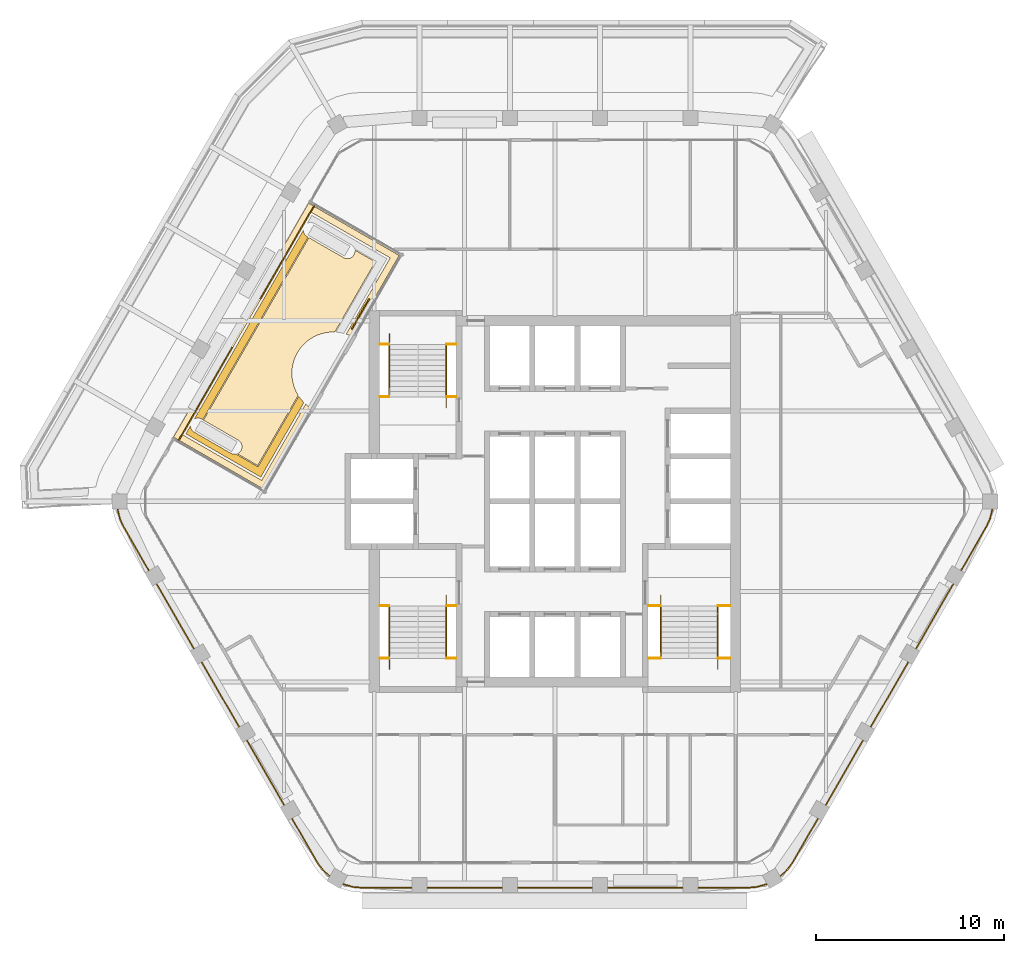
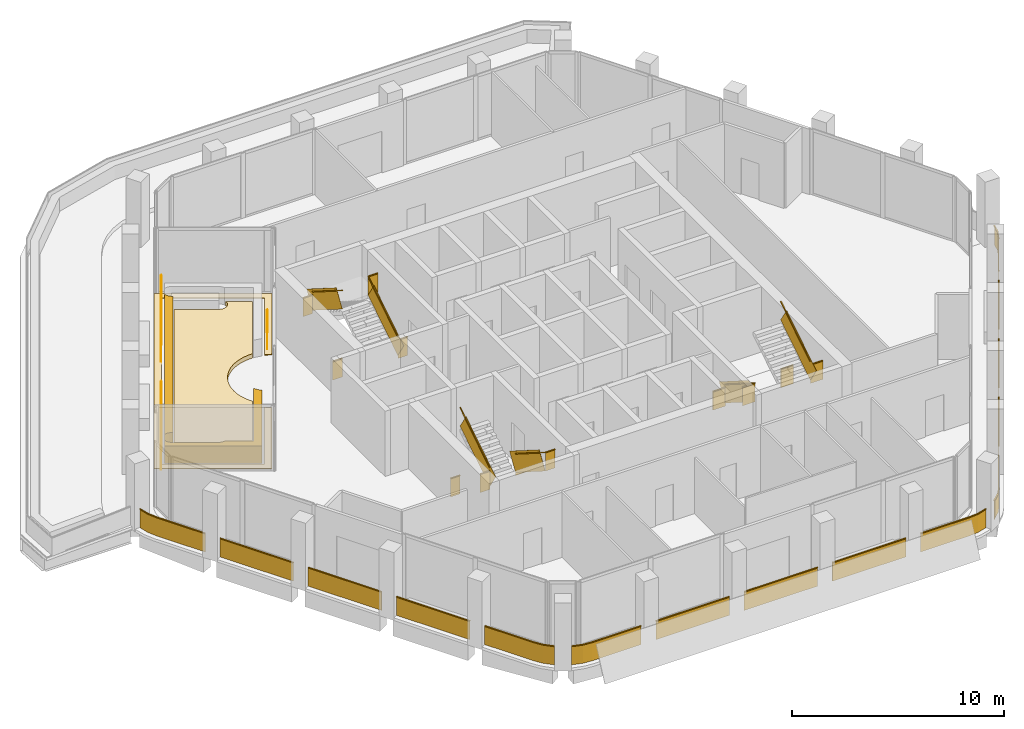
# One storey, part 15 of 16: 11 railings, 4 coverings.
"""IFC4 building model written with IfcOpenShell, lengths in metres."""

from ifc_helpers import new_model, si_unit, direction, frame, frame_2d, origin, origin_2d, place, context, subcontext, project, spatial, polyline, rectangle, outline, extrude, material, layer, layer_set, type_object, element, save


model = new_model("IFC4")

# Units and contexts
model_context = context("Model", 3, precision=1e-05, world=origin(), true_north=direction((0.0, 1.0)))
body_context = subcontext(model_context, "Body", "Model", "MODEL_VIEW")
ifc_project = project(units=[si_unit("LENGTHUNIT", "METRE"), si_unit("AREAUNIT", "SQUARE_METRE"), si_unit("VOLUMEUNIT", "CUBIC_METRE"), si_unit("PLANEANGLEUNIT", "RADIAN"), si_unit("MASSUNIT", "GRAM", prefix="KILO")], contexts=[model_context])

# Site, building, storey
site_placement = place(None, origin())
site = spatial("IfcSite", under=ifc_project, at=site_placement, CompositionType="ELEMENT")
building_placement = place(site_placement, origin())
building = spatial("IfcBuilding", under=site, at=building_placement, Name="Kolab Exchange Tower", CompositionType="ELEMENT")
storey_placement = place(building_placement, frame((0.0, 0.0, 254.0)))
storey = spatial("IfcBuildingStorey", under=building, at=storey_placement, Name="L56", CompositionType="ELEMENT", Elevation=254.0)

# Railings
ifc_material_1 = material(Name="Stainless steel 316", Category="steel")
railing_type_1 = type_object("IfcRailingType", Name="GUARD 1100", PredefinedType="GUARDRAIL", material=ifc_material_1)
railing_1_placement = place(storey_placement, frame((-9.324951171875, 5.550048828125, 0.0)))
element("IfcRailing", 1, at=railing_1_placement, inside=storey, type_object=railing_type_1, Name="Guard ST1", PredefinedType="GUARDRAIL", context=body_context, shape_type="SweptSolid", body=[
    extrude(rectangle(XDim=0.05, YDim=0.05, at=origin_2d()), frame((0.0, 0.0, 1.0751953125), z_axis=(1.0, 0.0, 0.0), x_axis=(0.0, 1.0, 0.0)), (0.0, 0.0, 1.0), 0.52734375),
    extrude(rectangle(XDim=0.012, YDim=1.05009765625, at=frame_2d((0.0, 0.525146484375))), frame((0.0, 0.0, 0.0), z_axis=(1.0, 0.0, 0.0), x_axis=(0.0, 1.0, 0.0)), (0.0, 0.0, 1.0), 0.52734375),
    extrude(rectangle(XDim=0.05, YDim=0.05, at=origin_2d()), frame((3.54736328125, 0.0, 1.0751953125), z_axis=(1.0, 0.0, 0.0), x_axis=(0.0, 1.0, 0.0)), (0.0, 0.0, 1.0), 0.527587890625),
    extrude(rectangle(XDim=0.012, YDim=1.05009765625, at=frame_2d((0.0, 0.525146484375))), frame((3.54736328125, 0.0, 0.0), z_axis=(1.0, 0.0, 0.0), x_axis=(0.0, 1.0, 0.0)), (0.0, 0.0, 1.0), 0.527587890625),
    extrude(rectangle(XDim=0.05, YDim=0.05, at=origin_2d()), frame((0.0, 2.800048828125, 3.025146484375), z_axis=(1.0, 0.0, 0.0), x_axis=(0.0, 1.0, 0.0)), (0.0, 0.0, 1.0), 0.52734375),
    extrude(rectangle(XDim=0.012, YDim=1.05009765625, at=frame_2d((0.0, 0.525146484375))), frame((0.0, 2.800048828125, 1.949951171875), z_axis=(1.0, 0.0, 0.0), x_axis=(0.0, 1.0, 0.0)), (0.0, 0.0, 1.0), 0.52734375),
    extrude(rectangle(XDim=0.05, YDim=0.05, at=origin_2d()), frame((3.54736328125, 2.800048828125, 3.025146484375), z_axis=(1.0, 0.0, 0.0), x_axis=(0.0, 1.0, 0.0)), (0.0, 0.0, 1.0), 0.527587890625),
    extrude(rectangle(XDim=0.012, YDim=1.05009765625, at=frame_2d((0.0, 0.525146484375))), frame((3.54736328125, 2.800048828125, 1.949951171875), z_axis=(1.0, 0.0, 0.0), x_axis=(0.0, 1.0, 0.0)), (0.0, 0.0, 1.0), 0.527587890625),
])
railing_2_placement = place(storey_placement, frame((-5.777587890625, 5.550048828125, 0.17724609375)))
element("IfcRailing", 2, at=railing_2_placement, inside=storey, type_object=railing_type_1, Name="Handrail guard ST1", PredefinedType="GUARDRAIL", context=body_context, shape_type="SweptSolid", body=[
    extrude(rectangle(XDim=0.05, YDim=0.05, at=origin_2d()), frame((0.0, 0.0, 1.0751953125), z_axis=(0.0, 0.844908973607, 0.534910110503), x_axis=(-1.0, 0.0, 0.0)), (0.0, 0.0, 1.0), 3.31396484375),
    extrude(rectangle(XDim=0.012, YDim=1.05009765625, at=frame_2d((0.0, 0.525146484375))), frame((0.0, 0.0, 0.0), z_axis=(0.0, 0.844908973607, 0.534910110503), x_axis=(-1.0, 0.0, 0.0)), (0.0, 0.0, 1.0), 3.31396484375),
    extrude(rectangle(XDim=0.05, YDim=0.05, at=origin_2d()), frame((-3.02001953125, 2.800048828125, 3.025146484375), z_axis=(0.0, -0.844908973607, 0.534910110503), x_axis=(1.0, 0.0, 0.0)), (0.0, 0.0, 1.0), 3.31396484375),
    extrude(rectangle(XDim=0.012, YDim=1.05009765625, at=frame_2d((0.0, 0.525146484375))), frame((-3.02001953125, 2.800048828125, 1.949951171875), z_axis=(0.0, -0.844908973607, 0.534910110503), x_axis=(1.0, 0.0, 0.0)), (0.0, 0.0, 1.0), 3.31396484375),
])
railing_3_placement = place(storey_placement, frame((-9.324951171875, -5.550048828125, 0.0)))
element("IfcRailing", 3, at=railing_3_placement, inside=storey, type_object=railing_type_1, Name="Guard ST3", PredefinedType="GUARDRAIL", context=body_context, shape_type="SweptSolid", body=[
    extrude(rectangle(XDim=0.05, YDim=0.05, at=origin_2d()), frame((0.0, 0.0, 1.0751953125), z_axis=(1.0, 0.0, 0.0), x_axis=(0.0, 1.0, 0.0)), (0.0, 0.0, 1.0), 0.52734375),
    extrude(rectangle(XDim=0.012, YDim=1.05009765625, at=frame_2d((0.0, 0.525146484375))), frame((0.0, 0.0, 0.0), z_axis=(1.0, 0.0, 0.0), x_axis=(0.0, 1.0, 0.0)), (0.0, 0.0, 1.0), 0.52734375),
    extrude(rectangle(XDim=0.05, YDim=0.05, at=origin_2d()), frame((3.54736328125, 0.0, 1.0751953125), z_axis=(1.0, 0.0, 0.0), x_axis=(0.0, 1.0, 0.0)), (0.0, 0.0, 1.0), 0.527587890625),
    extrude(rectangle(XDim=0.012, YDim=1.05009765625, at=frame_2d((0.0, 0.525146484375))), frame((3.54736328125, 0.0, 0.0), z_axis=(1.0, 0.0, 0.0), x_axis=(0.0, 1.0, 0.0)), (0.0, 0.0, 1.0), 0.527587890625),
    extrude(rectangle(XDim=0.05, YDim=0.05, at=origin_2d()), frame((0.0, -2.800048828125, 3.025146484375), z_axis=(1.0, 0.0, 0.0), x_axis=(0.0, 1.0, 0.0)), (0.0, 0.0, 1.0), 0.52734375),
    extrude(rectangle(XDim=0.012, YDim=1.05009765625, at=frame_2d((0.0, 0.525146484375))), frame((0.0, -2.800048828125, 1.949951171875), z_axis=(1.0, 0.0, 0.0), x_axis=(0.0, 1.0, 0.0)), (0.0, 0.0, 1.0), 0.52734375),
    extrude(rectangle(XDim=0.05, YDim=0.05, at=origin_2d()), frame((3.54736328125, -2.800048828125, 3.025146484375), z_axis=(1.0, 0.0, 0.0), x_axis=(0.0, 1.0, 0.0)), (0.0, 0.0, 1.0), 0.527587890625),
    extrude(rectangle(XDim=0.012, YDim=1.05009765625, at=frame_2d((0.0, 0.525146484375))), frame((3.54736328125, -2.800048828125, 1.949951171875), z_axis=(1.0, 0.0, 0.0), x_axis=(0.0, 1.0, 0.0)), (0.0, 0.0, 1.0), 0.527587890625),
])
railing_4_placement = place(storey_placement, frame((-5.777587890625, -5.550048828125, 0.17724609375)))
element("IfcRailing", 4, at=railing_4_placement, inside=storey, type_object=railing_type_1, Name="Handrail guard ST3", PredefinedType="GUARDRAIL", context=body_context, shape_type="SweptSolid", body=[
    extrude(rectangle(XDim=0.05, YDim=0.05, at=origin_2d()), frame((0.0, 0.0, 1.0751953125), z_axis=(0.0, -0.844908973607, 0.534910110503), x_axis=(1.0, 0.0, 0.0)), (0.0, 0.0, 1.0), 3.31396484375),
    extrude(rectangle(XDim=0.012, YDim=1.05009765625, at=frame_2d((0.0, 0.525146484375))), frame((0.0, 0.0, 0.0), z_axis=(0.0, -0.844908973607, 0.534910110503), x_axis=(1.0, 0.0, 0.0)), (0.0, 0.0, 1.0), 3.31396484375),
    extrude(rectangle(XDim=0.05, YDim=0.05, at=origin_2d()), frame((-3.02001953125, -2.800048828125, 3.025146484375), z_axis=(0.0, 0.844908973607, 0.534910110503), x_axis=(-1.0, 0.0, 0.0)), (0.0, 0.0, 1.0), 3.31396484375),
    extrude(rectangle(XDim=0.012, YDim=1.05009765625, at=frame_2d((0.0, 0.525146484375))), frame((-3.02001953125, -2.800048828125, 1.949951171875), z_axis=(0.0, 0.844908973607, 0.534910110503), x_axis=(-1.0, 0.0, 0.0)), (0.0, 0.0, 1.0), 3.31396484375),
])
railing_5_placement = place(storey_placement, frame((4.949951171875, -5.550048828125, 0.0)))
element("IfcRailing", 5, at=railing_5_placement, inside=storey, type_object=railing_type_1, Name="Guard ST2", PredefinedType="GUARDRAIL", context=body_context, shape_type="SweptSolid", body=[
    extrude(rectangle(XDim=0.05, YDim=0.05, at=origin_2d()), frame((0.0, 0.0, 1.0751953125), z_axis=(1.0, 0.0, 0.0), x_axis=(0.0, 1.0, 0.0)), (0.0, 0.0, 1.0), 0.677490234375),
    extrude(rectangle(XDim=0.012, YDim=1.05009765625, at=frame_2d((0.0, 0.525146484375))), frame((0.0, 0.0, 0.0), z_axis=(1.0, 0.0, 0.0), x_axis=(0.0, 1.0, 0.0)), (0.0, 0.0, 1.0), 0.677490234375),
    extrude(rectangle(XDim=0.05, YDim=0.05, at=origin_2d()), frame((3.697509765625, 0.0, 1.0751953125), z_axis=(1.0, 0.0, 0.0), x_axis=(0.0, 1.0, 0.0)), (0.0, 0.0, 1.0), 0.677490234375),
    extrude(rectangle(XDim=0.012, YDim=1.05009765625, at=frame_2d((0.0, 0.525146484375))), frame((3.697509765625, 0.0, 0.0), z_axis=(1.0, 0.0, 0.0), x_axis=(0.0, 1.0, 0.0)), (0.0, 0.0, 1.0), 0.677490234375),
    extrude(rectangle(XDim=0.05, YDim=0.05, at=origin_2d()), frame((0.0, -2.800048828125, 3.025146484375), z_axis=(1.0, 0.0, 0.0), x_axis=(0.0, 1.0, 0.0)), (0.0, 0.0, 1.0), 0.677490234375),
    extrude(rectangle(XDim=0.012, YDim=1.05009765625, at=frame_2d((0.0, 0.525146484375))), frame((0.0, -2.800048828125, 1.949951171875), z_axis=(1.0, 0.0, 0.0), x_axis=(0.0, 1.0, 0.0)), (0.0, 0.0, 1.0), 0.677490234375),
    extrude(rectangle(XDim=0.05, YDim=0.05, at=origin_2d()), frame((3.697509765625, -2.800048828125, 3.025146484375), z_axis=(1.0, 0.0, 0.0), x_axis=(0.0, 1.0, 0.0)), (0.0, 0.0, 1.0), 0.677490234375),
    extrude(rectangle(XDim=0.012, YDim=1.05009765625, at=frame_2d((0.0, 0.525146484375))), frame((3.697509765625, -2.800048828125, 1.949951171875), z_axis=(1.0, 0.0, 0.0), x_axis=(0.0, 1.0, 0.0)), (0.0, 0.0, 1.0), 0.677490234375),
])
railing_6_placement = place(storey_placement, frame((5.62744140625, -5.550048828125, 0.17724609375)))
element("IfcRailing", 6, at=railing_6_placement, inside=storey, type_object=railing_type_1, Name="Handrail guard ST2", PredefinedType="GUARDRAIL", context=body_context, shape_type="SweptSolid", body=[
    extrude(rectangle(XDim=0.05, YDim=0.05, at=origin_2d()), frame((0.0, 0.0, 1.0751953125), z_axis=(0.0, -0.844908973607, 0.534910110503), x_axis=(1.0, 0.0, 0.0)), (0.0, 0.0, 1.0), 3.31396484375),
    extrude(rectangle(XDim=0.012, YDim=1.05009765625, at=frame_2d((0.0, 0.525146484375))), frame((0.0, 0.0, 0.0), z_axis=(0.0, -0.844908973607, 0.534910110503), x_axis=(1.0, 0.0, 0.0)), (0.0, 0.0, 1.0), 3.31396484375),
    extrude(rectangle(XDim=0.05, YDim=0.05, at=origin_2d()), frame((3.02001953125, -2.800048828125, 3.025146484375), z_axis=(0.0, 0.844908973607, 0.534910110503), x_axis=(-1.0, 0.0, 0.0)), (0.0, 0.0, 1.0), 3.31396484375),
    extrude(rectangle(XDim=0.012, YDim=1.05009765625, at=frame_2d((0.0, 0.525146484375))), frame((3.02001953125, -2.800048828125, 1.949951171875), z_axis=(0.0, 0.844908973607, 0.534910110503), x_axis=(-1.0, 0.0, 0.0)), (0.0, 0.0, 1.0), 3.31396484375),
])
ifc_material_2 = material(Name="Steel S235", Category="steel")
railing_type_2 = type_object("IfcRailingType", Name="GUARD 1100 GLASS BALUSTRADE AND STEEL TOP RAIL", PredefinedType="GUARDRAIL", material=ifc_material_2)
railing_7_placement = place(storey_placement, frame((11.970703125, -19.936767578125, 0.0)))
element("IfcRailing", 7, at=railing_7_placement, inside=storey, type_object=railing_type_2, Name="Guard", PredefinedType="GUARDRAIL", context=body_context, shape_type="SweptSolid", body=[
    extrude(rectangle(XDim=0.05, YDim=0.05, at=origin_2d()), frame((0.0, 0.0, 1.0751953125), z_axis=(0.724189990991, 0.689600505327, 0.0), x_axis=(-0.689600505327, 0.724189990991, 0.0)), (0.0, 0.0, 1.0), 0.5576171875),
    extrude(rectangle(XDim=0.012, YDim=1.05009765625, at=frame_2d((0.0, 0.525146484375))), frame((0.0, 0.0, 0.0), z_axis=(0.724189990991, 0.689600505327, 0.0), x_axis=(-0.689600505327, 0.724189990991, 0.0)), (0.0, 0.0, 1.0), 0.5576171875),
    extrude(rectangle(XDim=0.05, YDim=0.05, at=origin_2d()), frame((0.40380859375, 0.384521484375, 1.0751953125), z_axis=(0.573599091554, 0.819136180478, 0.0), x_axis=(-0.819136180478, 0.573599091554, 0.0)), (0.0, 0.0, 1.0), 0.479248046875),
    extrude(rectangle(XDim=0.012, YDim=1.05009765625, at=frame_2d((0.0, 0.525146484375))), frame((0.40380859375, 0.384521484375, 0.0), z_axis=(0.573599091554, 0.819136180478, 0.0), x_axis=(-0.819136180478, 0.573599091554, 0.0)), (0.0, 0.0, 1.0), 0.479248046875),
    extrude(rectangle(XDim=0.05, YDim=0.05, at=origin_2d()), frame((0.6787109375, 0.777099609375, 1.0751953125), z_axis=(0.499997052475, 0.866027105532, 0.0), x_axis=(-0.866027105532, 0.499997052475, 0.0)), (0.0, 0.0, 1.0), 2.66796875),
    extrude(rectangle(XDim=0.012, YDim=1.05009765625, at=frame_2d((0.0, 0.525146484375))), frame((0.6787109375, 0.777099609375, 0.0), z_axis=(0.499997052475, 0.866027105532, 0.0), x_axis=(-0.866027105532, 0.499997052475, 0.0)), (0.0, 0.0, 1.0), 2.66796875),
    extrude(rectangle(XDim=0.05, YDim=0.05, at=origin_2d()), frame((2.412841796875, 3.780517578125, 1.0751953125), z_axis=(0.49999894854, 0.866026010844, 0.0), x_axis=(-0.866026010844, 0.49999894854, 0.0)), (0.0, 0.0, 1.0), 4.0),
    extrude(rectangle(XDim=0.012, YDim=1.05009765625, at=frame_2d((0.0, 0.525146484375))), frame((2.412841796875, 3.780517578125, 0.0), z_axis=(0.49999894854, 0.866026010844, 0.0), x_axis=(-0.866026010844, 0.49999894854, 0.0)), (0.0, 0.0, 1.0), 4.0),
    extrude(rectangle(XDim=0.05, YDim=0.05, at=origin_2d()), frame((4.812744140625, 7.9375, 1.0751953125), z_axis=(0.49999894854, 0.866026010844, 0.0), x_axis=(-0.866026010844, 0.49999894854, 0.0)), (0.0, 0.0, 1.0), 4.0),
    extrude(rectangle(XDim=0.012, YDim=1.05009765625, at=frame_2d((0.0, 0.525146484375))), frame((4.812744140625, 7.9375, 0.0), z_axis=(0.49999894854, 0.866026010844, 0.0), x_axis=(-0.866026010844, 0.49999894854, 0.0)), (0.0, 0.0, 1.0), 4.0),
    extrude(rectangle(XDim=0.05, YDim=0.05, at=origin_2d()), frame((7.212890625, 12.09423828125, 1.0751953125), z_axis=(0.49999894854, 0.866026010844, 0.0), x_axis=(-0.866026010844, 0.49999894854, 0.0)), (0.0, 0.0, 1.0), 4.0),
    extrude(rectangle(XDim=0.012, YDim=1.05009765625, at=frame_2d((0.0, 0.525146484375))), frame((7.212890625, 12.09423828125, 0.0), z_axis=(0.49999894854, 0.866026010844, 0.0), x_axis=(-0.866026010844, 0.49999894854, 0.0)), (0.0, 0.0, 1.0), 4.0),
    extrude(rectangle(XDim=0.05, YDim=0.05, at=origin_2d()), frame((9.61279296875, 16.251220703125, 1.0751953125), z_axis=(0.499997052475, 0.866027105532, 0.0), x_axis=(-0.866027105532, 0.499997052475, 0.0)), (0.0, 0.0, 1.0), 2.66796875),
    extrude(rectangle(XDim=0.012, YDim=1.05009765625, at=frame_2d((0.0, 0.525146484375))), frame((9.61279296875, 16.251220703125, 0.0), z_axis=(0.499997052475, 0.866027105532, 0.0), x_axis=(-0.866027105532, 0.499997052475, 0.0)), (0.0, 0.0, 1.0), 2.66796875),
    extrude(rectangle(XDim=0.05, YDim=0.05, at=origin_2d()), frame((10.94677734375, 18.561767578125, 1.0751953125), z_axis=(0.422801802984, 0.906222177721, 0.0), x_axis=(-0.906222177721, 0.422801802984, 0.0)), (0.0, 0.0, 1.0), 0.479248046875),
    extrude(rectangle(XDim=0.012, YDim=1.05009765625, at=frame_2d((0.0, 0.525146484375))), frame((10.94677734375, 18.561767578125, 0.0), z_axis=(0.422801802984, 0.906222177721, 0.0), x_axis=(-0.906222177721, 0.422801802984, 0.0)), (0.0, 0.0, 1.0), 0.479248046875),
    extrude(rectangle(XDim=0.05, YDim=0.05, at=origin_2d()), frame((11.1494140625, 18.99609375, 1.0751953125), z_axis=(0.234597748196, 0.972092534968, 0.0), x_axis=(-0.972092534968, 0.234597748196, 0.0)), (0.0, 0.0, 1.0), 0.557861328125),
    extrude(rectangle(XDim=0.012, YDim=1.05009765625, at=frame_2d((0.0, 0.525146484375))), frame((11.1494140625, 18.99609375, 0.0), z_axis=(0.234597748196, 0.972092534968, 0.0), x_axis=(-0.972092534968, 0.234597748196, 0.0)), (0.0, 0.0, 1.0), 0.557861328125),
])
railing_8_placement = place(storey_placement, frame((-11.280517578125, -20.335205078125, 0.0)))
element("IfcRailing", 8, at=railing_8_placement, inside=storey, type_object=railing_type_2, Name="Guard", PredefinedType="GUARDRAIL", context=body_context, shape_type="SweptSolid", body=[
    extrude(rectangle(XDim=0.05, YDim=0.05, at=origin_2d()), frame((0.0, 0.0, 1.0751953125), z_axis=(0.959212061764, -0.282687496304, 0.0), x_axis=(0.282687496304, 0.959212061764, 0.0)), (0.0, 0.0, 1.0), 0.557861328125),
    extrude(rectangle(XDim=0.012, YDim=1.05009765625, at=frame_2d((0.0, 0.525146484375))), frame((0.0, 0.0, 0.0), z_axis=(0.959212061764, -0.282687496304, 0.0), x_axis=(0.282687496304, 0.959212061764, 0.0)), (0.0, 0.0, 1.0), 0.557861328125),
    extrude(rectangle(XDim=0.05, YDim=0.05, at=origin_2d()), frame((0.53515625, -0.15771484375, 1.0751953125), z_axis=(0.996196482496, -0.087135344505, 0.0), x_axis=(0.087135344505, 0.996196482496, 0.0)), (0.0, 0.0, 1.0), 0.47900390625),
    extrude(rectangle(XDim=0.012, YDim=1.05009765625, at=frame_2d((0.0, 0.525146484375))), frame((0.53515625, -0.15771484375, 0.0), z_axis=(0.996196482496, -0.087135344505, 0.0), x_axis=(0.087135344505, 0.996196482496, 0.0)), (0.0, 0.0, 1.0), 0.47900390625),
    extrude(rectangle(XDim=0.05, YDim=0.05, at=origin_2d()), frame((1.012451171875, -0.199462890625, 1.0751953125), z_axis=(1.0, 0.0, 0.0), x_axis=(0.0, 1.0, 0.0)), (0.0, 0.0, 1.0), 2.66796875),
    extrude(rectangle(XDim=0.012, YDim=1.05009765625, at=frame_2d((0.0, 0.525146484375))), frame((1.012451171875, -0.199462890625, 0.0), z_axis=(1.0, 0.0, 0.0), x_axis=(0.0, 1.0, 0.0)), (0.0, 0.0, 1.0), 2.66796875),
    extrude(rectangle(XDim=0.05, YDim=0.05, at=origin_2d()), frame((4.48046875, -0.199462890625, 1.0751953125), z_axis=(1.0, 0.0, 0.0), x_axis=(0.0, 1.0, 0.0)), (0.0, 0.0, 1.0), 4.0),
    extrude(rectangle(XDim=0.012, YDim=1.05009765625, at=frame_2d((0.0, 0.525146484375))), frame((4.48046875, -0.199462890625, 0.0), z_axis=(1.0, 0.0, 0.0), x_axis=(0.0, 1.0, 0.0)), (0.0, 0.0, 1.0), 4.0),
    extrude(rectangle(XDim=0.05, YDim=0.05, at=origin_2d()), frame((9.280517578125, -0.199462890625, 1.0751953125), z_axis=(1.0, 0.0, 0.0), x_axis=(0.0, 1.0, 0.0)), (0.0, 0.0, 1.0), 4.0),
    extrude(rectangle(XDim=0.012, YDim=1.05009765625, at=frame_2d((0.0, 0.525146484375))), frame((9.280517578125, -0.199462890625, 0.0), z_axis=(1.0, 0.0, 0.0), x_axis=(0.0, 1.0, 0.0)), (0.0, 0.0, 1.0), 4.0),
    extrude(rectangle(XDim=0.05, YDim=0.05, at=origin_2d()), frame((14.08056640625, -0.199462890625, 1.0751953125), z_axis=(1.0, 0.0, 0.0), x_axis=(0.0, 1.0, 0.0)), (0.0, 0.0, 1.0), 4.0),
    extrude(rectangle(XDim=0.012, YDim=1.05009765625, at=frame_2d((0.0, 0.525146484375))), frame((14.08056640625, -0.199462890625, 0.0), z_axis=(1.0, 0.0, 0.0), x_axis=(0.0, 1.0, 0.0)), (0.0, 0.0, 1.0), 4.0),
    extrude(rectangle(XDim=0.05, YDim=0.05, at=origin_2d()), frame((18.880615234375, -0.199462890625, 1.0751953125), z_axis=(1.0, 0.0, 0.0), x_axis=(0.0, 1.0, 0.0)), (0.0, 0.0, 1.0), 2.66796875),
    extrude(rectangle(XDim=0.012, YDim=1.05009765625, at=frame_2d((0.0, 0.525146484375))), frame((18.880615234375, -0.199462890625, 0.0), z_axis=(1.0, 0.0, 0.0), x_axis=(0.0, 1.0, 0.0)), (0.0, 0.0, 1.0), 2.66796875),
    extrude(rectangle(XDim=0.05, YDim=0.05, at=origin_2d()), frame((21.548583984375, -0.199462890625, 1.0751953125), z_axis=(0.996196482496, 0.087135344505, 0.0), x_axis=(-0.087135344505, 0.996196482496, 0.0)), (0.0, 0.0, 1.0), 0.47900390625),
    extrude(rectangle(XDim=0.012, YDim=1.05009765625, at=frame_2d((0.0, 0.525146484375))), frame((21.548583984375, -0.199462890625, 0.0), z_axis=(0.996196482496, 0.087135344505, 0.0), x_axis=(-0.087135344505, 0.996196482496, 0.0)), (0.0, 0.0, 1.0), 0.47900390625),
    extrude(rectangle(XDim=0.05, YDim=0.05, at=origin_2d()), frame((22.02587890625, -0.15771484375, 1.0751953125), z_axis=(0.959212061764, 0.282687496304, 0.0), x_axis=(-0.282687496304, 0.959212061764, 0.0)), (0.0, 0.0, 1.0), 0.557861328125),
    extrude(rectangle(XDim=0.012, YDim=1.05009765625, at=frame_2d((0.0, 0.525146484375))), frame((22.02587890625, -0.15771484375, 0.0), z_axis=(0.959212061764, 0.282687496304, 0.0), x_axis=(-0.282687496304, 0.959212061764, 0.0)), (0.0, 0.0, 1.0), 0.557861328125),
])
railing_9_placement = place(storey_placement, frame((-23.2509765625, -0.3984375, 0.0)))
element("IfcRailing", 9, at=railing_9_placement, inside=storey, type_object=railing_type_2, Name="Guard", PredefinedType="GUARDRAIL", context=body_context, shape_type="SweptSolid", body=[
    extrude(rectangle(XDim=0.05, YDim=0.05, at=origin_2d()), frame((0.0, 0.0, 1.0751953125), z_axis=(0.234597748196, -0.972092534968, 0.0), x_axis=(0.972092534968, 0.234597748196, 0.0)), (0.0, 0.0, 1.0), 0.557861328125),
    extrude(rectangle(XDim=0.012, YDim=1.05009765625, at=frame_2d((0.0, 0.525146484375))), frame((0.0, 0.0, 0.0), z_axis=(0.234597748196, -0.972092534968, 0.0), x_axis=(0.972092534968, 0.234597748196, 0.0)), (0.0, 0.0, 1.0), 0.557861328125),
    extrude(rectangle(XDim=0.05, YDim=0.05, at=origin_2d()), frame((0.130859375, -0.542236328125, 1.0751953125), z_axis=(0.422801802984, -0.906222177721, 0.0), x_axis=(0.906222177721, 0.422801802984, 0.0)), (0.0, 0.0, 1.0), 0.479248046875),
    extrude(rectangle(XDim=0.012, YDim=1.05009765625, at=frame_2d((0.0, 0.525146484375))), frame((0.130859375, -0.542236328125, 0.0), z_axis=(0.422801802984, -0.906222177721, 0.0), x_axis=(0.906222177721, 0.422801802984, 0.0)), (0.0, 0.0, 1.0), 0.479248046875),
    extrude(rectangle(XDim=0.05, YDim=0.05, at=origin_2d()), frame((0.33349609375, -0.9765625, 1.0751953125), z_axis=(0.499997052475, -0.866027105532, 0.0), x_axis=(0.866027105532, 0.499997052475, 0.0)), (0.0, 0.0, 1.0), 2.66796875),
    extrude(rectangle(XDim=0.012, YDim=1.05009765625, at=frame_2d((0.0, 0.525146484375))), frame((0.33349609375, -0.9765625, 0.0), z_axis=(0.499997052475, -0.866027105532, 0.0), x_axis=(0.866027105532, 0.499997052475, 0.0)), (0.0, 0.0, 1.0), 2.66796875),
    extrude(rectangle(XDim=0.05, YDim=0.05, at=origin_2d()), frame((2.0673828125, -3.97998046875, 1.0751953125), z_axis=(0.49999894854, -0.866026010844, 0.0), x_axis=(0.866026010844, 0.49999894854, 0.0)), (0.0, 0.0, 1.0), 4.0),
    extrude(rectangle(XDim=0.012, YDim=1.05009765625, at=frame_2d((0.0, 0.525146484375))), frame((2.0673828125, -3.97998046875, 0.0), z_axis=(0.49999894854, -0.866026010844, 0.0), x_axis=(0.866026010844, 0.49999894854, 0.0)), (0.0, 0.0, 1.0), 4.0),
    extrude(rectangle(XDim=0.05, YDim=0.05, at=origin_2d()), frame((4.467529296875, -8.13671875, 1.0751953125), z_axis=(0.49999894854, -0.866026010844, 0.0), x_axis=(0.866026010844, 0.49999894854, 0.0)), (0.0, 0.0, 1.0), 4.0),
    extrude(rectangle(XDim=0.012, YDim=1.05009765625, at=frame_2d((0.0, 0.525146484375))), frame((4.467529296875, -8.13671875, 0.0), z_axis=(0.49999894854, -0.866026010844, 0.0), x_axis=(0.866026010844, 0.49999894854, 0.0)), (0.0, 0.0, 1.0), 4.0),
    extrude(rectangle(XDim=0.05, YDim=0.05, at=origin_2d()), frame((6.867431640625, -12.293701171875, 1.0751953125), z_axis=(0.49999894854, -0.866026010844, 0.0), x_axis=(0.866026010844, 0.49999894854, 0.0)), (0.0, 0.0, 1.0), 4.0),
    extrude(rectangle(XDim=0.012, YDim=1.05009765625, at=frame_2d((0.0, 0.525146484375))), frame((6.867431640625, -12.293701171875, 0.0), z_axis=(0.49999894854, -0.866026010844, 0.0), x_axis=(0.866026010844, 0.49999894854, 0.0)), (0.0, 0.0, 1.0), 4.0),
    extrude(rectangle(XDim=0.05, YDim=0.05, at=origin_2d()), frame((9.267578125, -16.45068359375, 1.0751953125), z_axis=(0.499997052475, -0.866027105532, 0.0), x_axis=(0.866027105532, 0.499997052475, 0.0)), (0.0, 0.0, 1.0), 2.66796875),
    extrude(rectangle(XDim=0.012, YDim=1.05009765625, at=frame_2d((0.0, 0.525146484375))), frame((9.267578125, -16.45068359375, 0.0), z_axis=(0.499997052475, -0.866027105532, 0.0), x_axis=(0.866027105532, 0.499997052475, 0.0)), (0.0, 0.0, 1.0), 2.66796875),
    extrude(rectangle(XDim=0.05, YDim=0.05, at=origin_2d()), frame((10.6015625, -18.76123046875, 1.0751953125), z_axis=(0.573599091554, -0.819136180478, 0.0), x_axis=(0.819136180478, 0.573599091554, 0.0)), (0.0, 0.0, 1.0), 0.479248046875),
    extrude(rectangle(XDim=0.012, YDim=1.05009765625, at=frame_2d((0.0, 0.525146484375))), frame((10.6015625, -18.76123046875, 0.0), z_axis=(0.573599091554, -0.819136180478, 0.0), x_axis=(0.819136180478, 0.573599091554, 0.0)), (0.0, 0.0, 1.0), 0.479248046875),
    extrude(rectangle(XDim=0.05, YDim=0.05, at=origin_2d()), frame((10.87646484375, -19.15380859375, 1.0751953125), z_axis=(0.724189990991, -0.689600505327, 0.0), x_axis=(0.689600505327, 0.724189990991, 0.0)), (0.0, 0.0, 1.0), 0.5576171875),
    extrude(rectangle(XDim=0.012, YDim=1.05009765625, at=frame_2d((0.0, 0.525146484375))), frame((10.87646484375, -19.15380859375, 0.0), z_axis=(0.724189990991, -0.689600505327, 0.0), x_axis=(0.689600505327, 0.724189990991, 0.0)), (0.0, 0.0, 1.0), 0.5576171875),
])
railing_10_placement = place(storey_placement, frame((-9.8740234375, 10.766845703125, 0.0)))
element("IfcRailing", 10, at=railing_10_placement, inside=storey, type_object=railing_type_2, Name="Terrace guard", PredefinedType="GUARDRAIL", context=body_context, shape_type="SweptSolid", body=[
    extrude(rectangle(XDim=0.05, YDim=0.05, at=origin_2d()), frame((0.0, 0.0, 1.0751953125), z_axis=(-0.50003817291, -0.866003363523, 0.0), x_axis=(0.866003363523, -0.50003817291, 0.0)), (0.0, 0.0, 1.0), 1.851806640625),
    extrude(rectangle(XDim=0.012, YDim=1.05009765625, at=frame_2d((0.0, 0.525146484375))), frame((0.0, 0.0, 0.0), z_axis=(-0.50003817291, -0.866003363523, 0.0), x_axis=(0.866003363523, -0.50003817291, 0.0)), (0.0, 0.0, 1.0), 1.851806640625),
])
railing_11_placement = place(storey_placement, frame((-20.017822265625, 3.197265625, 0.0)))
element("IfcRailing", 11, at=railing_11_placement, inside=storey, type_object=railing_type_2, Name="Terrace guard", PredefinedType="GUARDRAIL", context=body_context, shape_type="SweptSolid", body=[
    extrude(rectangle(XDim=0.05, YDim=0.05, at=origin_2d()), frame((0.0, 0.0, 1.0751953125), z_axis=(0.499986320039, 0.86603330177, 0.0), x_axis=(-0.86603330177, 0.499986320039, 0.0)), (0.0, 0.0, 1.0), 5.739990234375),
    extrude(rectangle(XDim=0.012, YDim=1.05009765625, at=frame_2d((0.0, 0.525146484375))), frame((0.0, 0.0, 0.0), z_axis=(0.499986320039, 0.86603330177, 0.0), x_axis=(-0.86603330177, 0.499986320039, 0.0)), (0.0, 0.0, 1.0), 5.739990234375),
    extrude(rectangle(XDim=0.05, YDim=0.05, at=origin_2d()), frame((7.239990234375, 12.5400390625, 1.0751953125), z_axis=(-0.500018220049, -0.866014884179, 0.0), x_axis=(0.866014884179, -0.500018220049, 0.0)), (0.0, 0.0, 1.0), 5.739990234375),
    extrude(rectangle(XDim=0.012, YDim=1.05009765625, at=frame_2d((0.0, 0.525146484375))), frame((7.239990234375, 12.5400390625, 0.0), z_axis=(-0.500018220049, -0.866014884179, 0.0), x_axis=(0.866014884179, -0.500018220049, 0.0)), (0.0, 0.0, 1.0), 5.739990234375),
])

# Coverings
ifc_material_3 = material(Name="Planting soil and turf", Category="soil")
ifc_layer_1 = layer(ifc_material_3, 0.25)
ifc_layer_set_1 = layer_set([ifc_layer_1], Name="Planting soil and turf")
covering_type_1 = type_object("IfcCoveringType", Name="PLANTING SOIL AND TURF 250", PredefinedType="USERDEFINED", material=ifc_layer_set_1)
covering_1_placement = place(storey_placement, origin())
element("IfcCovering", 12, at=covering_1_placement, inside=storey, type_object=covering_type_1, Name="Planting soil and turf", ObjectType="PLANTING", PredefinedType="USERDEFINED", context=body_context, shape_type="SweptSolid", body=[
    extrude(outline(polyline([(-16.888427734375, 2.53369140625), (-16.856689453125, 2.54736328125), (-16.822265625, 2.56640625), (-16.7900390625, 2.5888671875), (-16.76025390625, 2.6142578125), (-16.73291015625, 2.642333984375), (-16.70849609375, 2.673095703125), (-16.687255859375, 2.7060546875), (-16.669189453125, 2.740966796875), (-16.65478515625, 2.777587890625), (-16.64404296875, 2.8154296875), (-16.636962890625, 2.85400390625), (-16.6337890625, 2.89306640625), (-16.634521484375, 2.932373046875), (-16.638916015625, 2.97119140625), (-16.647216796875, 3.009765625), (-16.6591796875, 3.047119140625), (-16.6748046875, 3.0830078125), (-16.69384765625, 3.117431640625), (-16.71630859375, 3.149658203125), (-16.74169921875, 3.1796875), (-16.769775390625, 3.206787109375), (-16.800537109375, 3.231201171875), (-16.83349609375, 3.25244140625), (-18.67822265625, 4.317626953125), (-13.078125, 14.01708984375), (-11.233642578125, 12.9521484375), (-11.19873046875, 12.93408203125), (-11.162109375, 12.919677734375), (-11.12451171875, 12.908935546875), (-11.085693359375, 12.90185546875), (-11.046630859375, 12.898681640625), (-11.00732421875, 12.8994140625), (-10.968505859375, 12.90380859375), (-10.93017578125, 12.912109375), (-10.892822265625, 12.924072265625), (-10.856689453125, 12.939697265625), (-10.822265625, 12.958740234375), (-10.7900390625, 12.981201171875), (-10.76025390625, 13.006591796875), (-10.73291015625, 13.03466796875), (-10.70849609375, 13.0654296875), (-10.687255859375, 13.098388671875), (-10.669189453125, 13.13330078125), (-10.65478515625, 13.169921875), (-10.64404296875, 13.20751953125), (-10.636962890625, 13.246337890625), (-10.6337890625, 13.285400390625), (-10.634521484375, 13.32470703125), (-10.638427734375, 13.35888671875), (-9.548828125, 12.72998046875), (-11.703369140625, 8.99853515625), (-11.781982421875, 9.002197265625), (-11.99755859375, 8.99169921875), (-12.211181640625, 8.9599609375), (-12.420654296875, 8.907470703125), (-12.623779296875, 8.8349609375), (-12.819091796875, 8.742431640625), (-13.004150390625, 8.631591796875), (-13.177490234375, 8.5029296875), (-13.337646484375, 8.35791015625), (-13.482666015625, 8.197998046875), (-13.611083984375, 8.024658203125), (-13.72216796875, 7.83935546875), (-13.814453125, 7.644287109375), (-13.88720703125, 7.44091796875), (-13.939697265625, 7.2314453125), (-13.971435546875, 7.017822265625), (-13.98193359375, 6.80224609375), (-13.971435546875, 6.586669921875), (-13.939697265625, 6.373046875), (-13.88720703125, 6.16357421875), (-13.814453125, 5.96044921875), (-13.72216796875, 5.76513671875), (-13.644775390625, 5.635986328125), (-15.798828125, 1.904541015625), (-16.888427734375, 2.53369140625)])), origin(), (0.0, 0.0, 1.0), 0.25),
])
ifc_material_4 = material(Name="Limestone coping", Category="masonry")
ifc_layer_2 = layer(ifc_material_4, 0.050048828125)
ifc_layer_set_2 = layer_set([ifc_layer_2], Name="Limestone coping")
covering_type_2 = type_object("IfcCoveringType", Name="TERRACE EDGE BAND LIMESTONE 50", PredefinedType="CLADDING", material=ifc_layer_set_2)
covering_2_placement = place(storey_placement, origin())
element("IfcCovering", 13, at=covering_2_placement, inside=storey, type_object=covering_type_2, Name="Terrace edge band", PredefinedType="CLADDING", context=body_context, shape_type="SweptSolid", body=[
    extrude(outline(polyline([(-13.09375, 15.850341796875), (-8.278564453125, 13.0703125), (-10.770263671875, 8.754638671875), (-10.93994140625, 8.8349609375), (-11.095947265625, 8.890625), (-8.756591796875, 12.942138671875), (-12.965576171875, 15.372314453125), (-19.795654296875, 3.542236328125), (-15.586669921875, 1.1123046875), (-13.2470703125, 5.16455078125), (-13.177490234375, 5.1015625), (-13.004150390625, 4.97314453125), (-12.966552734375, 4.950439453125), (-15.45849609375, 0.63427734375), (-20.273681640625, 3.414306640625), (-13.09375, 15.850341796875)])), origin(), (0.0, 0.0, 1.0), 0.050048828125),
])
ifc_material_5 = material(Name="Terrace hedge planting", Category="soil")
ifc_layer_3 = layer(ifc_material_5, 1.0)
ifc_layer_set_3 = layer_set([ifc_layer_3], Name="Terrace hedge planting")
covering_type_3 = type_object("IfcCoveringType", Name="TERRACE HEDGE 1000 X 400", PredefinedType="USERDEFINED", material=ifc_layer_set_3)
covering_3_placement = place(storey_placement, origin())
element("IfcCovering", 14, at=covering_3_placement, inside=storey, type_object=covering_type_3, Name="Terrace hedge", ObjectType="PLANTING", PredefinedType="USERDEFINED", context=body_context, shape_type="SweptSolid", body=[
    extrude(outline(polyline([(-13.372802734375, 14.40673828125), (-13.37255859375, 14.392333984375), (-13.3681640625, 14.353271484375), (-13.35986328125, 14.31494140625), (-13.347900390625, 14.277587890625), (-13.332275390625, 14.241455078125), (-13.313232421875, 14.207275390625), (-13.290771484375, 14.175048828125), (-13.265380859375, 14.14501953125), (-13.2373046875, 14.11767578125), (-13.20654296875, 14.09326171875), (-13.173583984375, 14.072021484375), (-13.12158203125, 14.0419921875), (-18.721435546875, 4.342529296875), (-18.7734375, 4.37255859375), (-18.808349609375, 4.390380859375), (-18.844970703125, 4.405029296875), (-18.882568359375, 4.415771484375), (-18.92138671875, 4.4228515625), (-18.96044921875, 4.426025390625), (-18.999755859375, 4.42529296875), (-19.03857421875, 4.4208984375), (-19.0771484375, 4.41259765625), (-19.114501953125, 4.400634765625), (-19.150390625, 4.385009765625), (-19.1630859375, 4.3779296875), (-13.372802734375, 14.40673828125)])), origin(), (0.0, 0.0, 1.0), 1.0),
])
covering_4_placement = place(storey_placement, origin())
element("IfcCovering", 15, at=covering_4_placement, inside=storey, type_object=covering_type_3, Name="Terrace hedge", ObjectType="PLANTING", PredefinedType="USERDEFINED", context=body_context, shape_type="SweptSolid", body=[
    extrude(outline(polyline([(-19.372802734375, 4.014404296875), (-19.37255859375, 4.0), (-19.3681640625, 3.9609375), (-19.35986328125, 3.922607421875), (-19.347900390625, 3.88525390625), (-19.332275390625, 3.84912109375), (-19.313232421875, 3.81494140625), (-19.290771484375, 3.78271484375), (-19.265380859375, 3.752685546875), (-19.2373046875, 3.725341796875), (-19.20654296875, 3.700927734375), (-19.173583984375, 3.6796875), (-17.233642578125, 2.559814453125), (-17.19873046875, 2.541748046875), (-17.162109375, 2.52734375), (-17.12451171875, 2.5166015625), (-17.085693359375, 2.509521484375), (-17.046630859375, 2.50634765625), (-17.00732421875, 2.507080078125), (-16.968505859375, 2.511474609375), (-16.955078125, 2.514404296875), (-15.78076171875, 1.83642578125), (-13.615234375, 5.5869140625), (-13.611083984375, 5.580078125), (-13.482666015625, 5.40673828125), (-13.344970703125, 5.2548828125), (-15.63427734375, 1.2900390625), (-19.617919921875, 3.58984375), (-19.372802734375, 4.014404296875)])), origin(), (0.0, 0.0, 1.0), 1.0),
])

save(model, "model.ifc")
